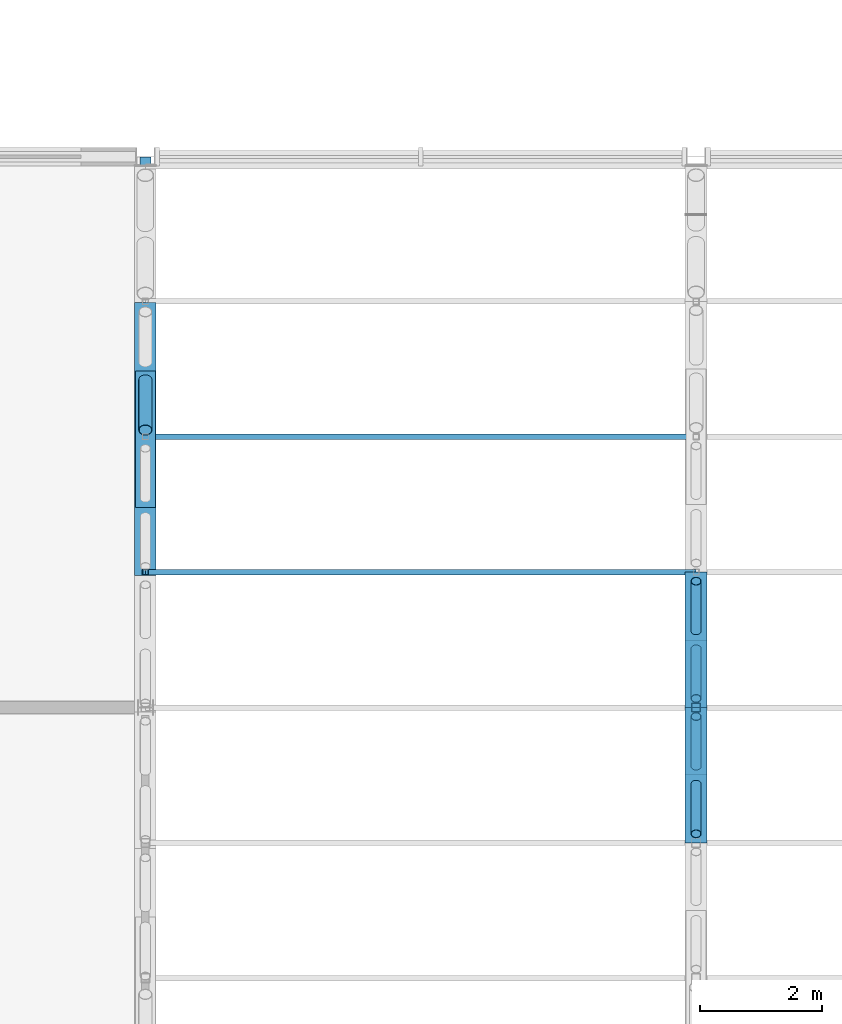
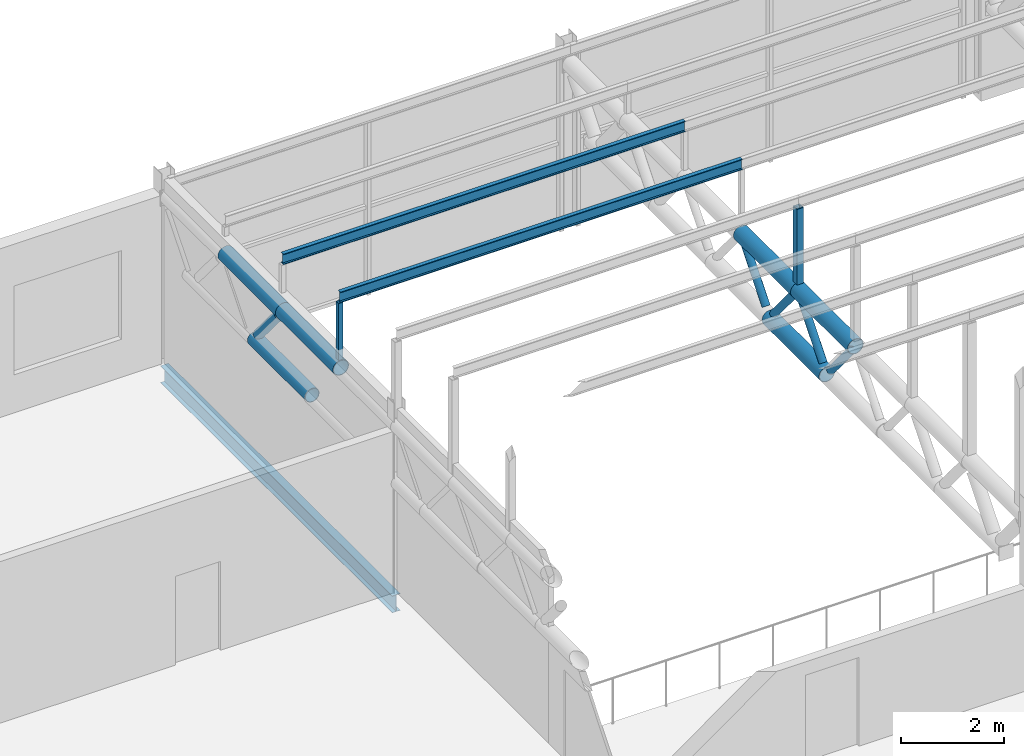
# One storey, part 30 of 138: 15 members, 1 beam.
"""IFC4 building model written with IfcOpenShell, lengths in metres."""

from ifc_helpers import new_model, si_unit, direction, frame, origin, origin_2d, place, context, subcontext, project, spatial, hollow_rectangle, hollow_circle, i_section, extrude, material, material_profile, profile_set, type_object, element, save


model = new_model("IFC4")

# Units and contexts
model_context = context("Model", 3, precision=1e-05, world=origin(), true_north=direction((0.0, 1.0)))
body_context = subcontext(model_context, "Body", "Model", "MODEL_VIEW")
ifc_project = project(units=[si_unit("LENGTHUNIT", "METRE"), si_unit("AREAUNIT", "SQUARE_METRE"), si_unit("VOLUMEUNIT", "CUBIC_METRE"), si_unit("PLANEANGLEUNIT", "RADIAN"), si_unit("MASSUNIT", "GRAM", prefix="KILO")], contexts=[model_context])

# Site, building, storey
site_placement = place(None, origin())
site = spatial("IfcSite", under=ifc_project, at=site_placement, CompositionType="ELEMENT")
building_placement = place(site_placement, origin())
building = spatial("IfcBuilding", under=site, at=building_placement, Name="Corbel Yard City Hall", CompositionType="ELEMENT")
storey_placement = place(building_placement, frame((0.0, 0.0, 10.5)))
storey = spatial("IfcBuildingStorey", under=building, at=storey_placement, Name="L02", CompositionType="ELEMENT", Elevation=10.5)

# Beam
ifc_material_1 = material(Name="Steel Grade 300 (300 MPa yield)", Category="steel")
ifc_material_profile_1 = material_profile(ifc_material_1, i_section(OverallWidth=0.177978515625, OverallDepth=0.403076171875, WebThickness=0.007568359375, FlangeThickness=0.010986328125, at=origin_2d()), Name="410UB53.7")
ifc_profile_set_1 = profile_set([ifc_material_profile_1], Name="Steel Grade 300 (300 MPa yield)")
beam_type = type_object("IfcBeamType", Name="Edge beam 410UB53.7", PredefinedType="BEAM", material=ifc_profile_set_1)
beam_placement = place(storey_placement, frame((18.0, 18.005859375, -0.3515625), z_axis=(0.0, 1.0, 0.0), x_axis=(-1.0, 0.0, 0.0)))
element("IfcBeam", 1, at=beam_placement, inside=storey, type_object=beam_type, Name="Edge beam 410UB53.7 EB6 L02floor", PredefinedType="BEAM", context=body_context, shape_type="SweptSolid", body=[
    extrude(i_section(OverallWidth=0.177978515625, OverallDepth=0.403076171875, WebThickness=0.007568359375, FlangeThickness=0.010986328125, at=origin_2d()), origin(), (0.0, 0.0, 1.0), 8.98828125),
])

# Members
ifc_material_2 = material(Name="Steel Grade C350L0", Category="steel")
ifc_material_profile_2 = material_profile(ifc_material_2, hollow_circle(Radius=0.161865234375, WallThickness=0.0126953125, at=origin_2d()), Name="323.9x12.7CHS")
ifc_profile_set_2 = profile_set([ifc_material_profile_2], Name="Steel Grade C350L0")
member_type_1 = type_object("IfcMemberType", Name="Hall roof truss bottom chord 323.9x12.7CHS", PredefinedType="CHORD", material=ifc_profile_set_2)
member_1_placement = place(storey_placement, frame((18.0, 21.270263671875, 2.59228515625), z_axis=(0.0, 1.0, 0.0), x_axis=(-1.0, 0.0, 0.0)))
element("IfcMember", 2, at=member_1_placement, inside=storey, type_object=member_type_1, Name="Hall roof truss bottom chord 323.9x12.7CHS TC2", PredefinedType="CHORD", context=body_context, shape_type="SweptSolid", body=[
    extrude(hollow_circle(Radius=0.161865234375, WallThickness=0.0126953125, at=origin_2d()), origin(), (0.0, 0.0, 1.0), 2.230712890625),
])
ifc_material_profile_3 = material_profile(ifc_material_2, hollow_circle(Radius=0.177734375, WallThickness=0.0126953125, at=origin_2d()), Name="355.6x12.7CHS")
ifc_profile_set_3 = profile_set([ifc_material_profile_3], Name="Steel Grade C350L0")
member_type_2 = type_object("IfcMemberType", Name="Hall roof truss bottom chord 355.6x12.7CHS", PredefinedType="CHORD", material=ifc_profile_set_3)
member_2_placement = place(storey_placement, frame((27.0, 16.89404296875, 2.59228515625), z_axis=(0.0, 1.0, 0.0), x_axis=(-1.0, 0.0, 0.0)))
element("IfcMember", 3, at=member_2_placement, inside=storey, type_object=member_type_2, Name="Hall roof truss bottom chord 355.6x12.7CHS TC3", PredefinedType="CHORD", context=body_context, shape_type="SweptSolid", body=[
    extrude(hollow_circle(Radius=0.177734375, WallThickness=0.0126953125, at=origin_2d()), origin(), (0.0, 0.0, 1.0), 2.2119140625),
])
ifc_material_profile_4 = material_profile(ifc_material_2, hollow_circle(Radius=0.084228515625, WallThickness=0.007080078125, at=origin_2d()), Name="168.3x7.1CHS")
ifc_profile_set_4 = profile_set([ifc_material_profile_4], Name="Steel Grade C350L0")
member_type_3 = type_object("IfcMemberType", Name="Hall roof truss diagonal 168.3x7.1CHS", PredefinedType="STRUT", material=ifc_profile_set_4)
member_3_placement = place(storey_placement, frame((27.0, 15.93603515625, 3.744384765625), z_axis=(0.0, 0.639407153698, -0.768868318894), x_axis=(-1.0, 0.0, 0.0)))
element("IfcMember", 4, at=member_3_placement, inside=storey, type_object=member_type_3, Name="Hall roof truss diagonal 168.3x7.1CHS TD3", PredefinedType="STRUT", context=body_context, shape_type="SweptSolid", body=[
    extrude(hollow_circle(Radius=0.084228515625, WallThickness=0.007080078125, at=origin_2d()), origin(), (0.0, 0.0, 1.0), 1.267333984375),
])
for number, where, z_axis, x_axis, name in (
    (5, (27.0, 17.0419921875, 2.77001953125), (0.0, 0.639293245648, 0.768963032966), (-1.0, 0.0, 0.0), "Hall roof truss diagonal 168.3x7.1CHS TD3"),
    (6, (27.0, 18.14794921875, 3.744384765625), (0.0, 0.639293245648, -0.768963032966), (-1.0, 0.0, 0.0), "Hall roof truss diagonal 168.3x7.1CHS TD3"),
):
    element("IfcMember", number, at=place(storey_placement, frame(where, z_axis=z_axis, x_axis=x_axis)), inside=storey, type_object=member_type_3, Name=name, PredefinedType="STRUT", context=body_context, shape_type="SweptSolid", body=[
        extrude(hollow_circle(Radius=0.084228515625, WallThickness=0.007080078125, at=origin_2d()), origin(), (0.0, 0.0, 1.0), 1.26708984375),
    ])
member_4_placement = place(storey_placement, frame((27.0, 19.253662109375, 2.77001953125), z_axis=(0.0, 0.639407153698, 0.768868318894), x_axis=(-1.0, 0.0, 0.0)))
element("IfcMember", 7, at=member_4_placement, inside=storey, type_object=member_type_3, Name="Hall roof truss diagonal 168.3x7.1CHS TD3", PredefinedType="STRUT", context=body_context, shape_type="SweptSolid", body=[
    extrude(hollow_circle(Radius=0.084228515625, WallThickness=0.007080078125, at=origin_2d()), origin(), (0.0, 0.0, 1.0), 1.267333984375),
])
ifc_material_profile_5 = material_profile(ifc_material_2, hollow_circle(Radius=0.109619140625, WallThickness=0.00830078125, at=origin_2d()), Name="219.1x8.2CHS")
ifc_profile_set_5 = profile_set([ifc_material_profile_5], Name="Steel Grade C350L0")
member_type_4 = type_object("IfcMemberType", Name="Hall roof truss diagonal 219.1x8.2CHS", PredefinedType="STRUT", material=ifc_profile_set_5)
member_5_placement = place(storey_placement, frame((18.0, 22.53466796875, 3.744384765625), z_axis=(0.0, 0.642692233301, -0.766124463292), x_axis=(-1.0, 0.0, 0.0)))
element("IfcMember", 8, at=member_5_placement, inside=storey, type_object=member_type_4, Name="Hall roof truss diagonal 219.1x8.2CHS TD2", PredefinedType="STRUT", context=body_context, shape_type="SweptSolid", body=[
    extrude(hollow_circle(Radius=0.109619140625, WallThickness=0.00830078125, at=origin_2d()), origin(), (0.0, 0.0, 1.0), 1.271728515625),
])
ifc_material_profile_6 = material_profile(ifc_material_2, hollow_circle(Radius=0.177734375, WallThickness=0.0126953125, at=origin_2d()), Name="355.6x12.7CHS")
ifc_profile_set_6 = profile_set([ifc_material_profile_6], Name="Steel Grade C350L0")
member_type_5 = type_object("IfcMemberType", Name="Hall roof truss top chord 355.6x12.7CHS", PredefinedType="CHORD", material=ifc_profile_set_6)
member_6_placement = place(storey_placement, frame((18.0, 20.15478515625, 3.922119140625), z_axis=(0.0, 1.0, 0.0), x_axis=(-1.0, 0.0, 0.0)))
element("IfcMember", 9, at=member_6_placement, inside=storey, type_object=member_type_5, Name="Hall roof truss top chord 355.6x12.7CHS TC1", PredefinedType="CHORD", context=body_context, shape_type="SweptSolid", body=[
    extrude(hollow_circle(Radius=0.177734375, WallThickness=0.0126953125, at=origin_2d()), origin(), (0.0, 0.0, 1.0), 2.23095703125),
])
member_7_placement = place(storey_placement, frame((18.0, 22.3857421875, 3.922119140625), z_axis=(0.0, 1.0, 0.0), x_axis=(-1.0, 0.0, 0.0)))
element("IfcMember", 10, at=member_7_placement, inside=storey, type_object=member_type_5, Name="Hall roof truss top chord 355.6x12.7CHS TC1", PredefinedType="CHORD", context=body_context, shape_type="SweptSolid", body=[
    extrude(hollow_circle(Radius=0.177734375, WallThickness=0.0126953125, at=origin_2d()), origin(), (0.0, 0.0, 1.0), 2.230712890625),
])
for number, where, z_axis, x_axis, name in (
    (11, (27.0, 15.7880859375, 3.922119140625), (0.0, 1.0, 0.0), (-1.0, 0.0, 0.0), "Hall roof truss top chord 355.6x12.7CHS TC1"),
    (12, (27.0, 18.0, 3.922119140625), (0.0, 1.0, 0.0), (-1.0, 0.0, 0.0), "Hall roof truss top chord 355.6x12.7CHS TC1"),
):
    element("IfcMember", number, at=place(storey_placement, frame(where, z_axis=z_axis, x_axis=x_axis)), inside=storey, type_object=member_type_5, Name=name, PredefinedType="CHORD", context=body_context, shape_type="SweptSolid", body=[
        extrude(hollow_circle(Radius=0.177734375, WallThickness=0.0126953125, at=origin_2d()), origin(), (0.0, 0.0, 1.0), 2.2119140625),
    ])
ifc_material_profile_7 = material_profile(ifc_material_1, i_section(OverallWidth=0.090087890625, OverallDepth=0.25, WebThickness=0.008056640625, FlangeThickness=0.014892578125, at=origin_2d()), Name="250PFC")
ifc_profile_set_7 = profile_set([ifc_material_profile_7], Name="Steel Grade 300 (300 MPa yield)")
member_type_6 = type_object("IfcMemberType", Name="Purlin 250PFC", PredefinedType="PURLIN", material=ifc_profile_set_7)
for number, where, z_axis, x_axis, name in (
    (13, (18.0, 20.2119140625, 5.57373046875), (1.0, 0.0, 0.0), (0.0, 1.0, 0.0), "Purlin 250PFC PU1"),
    (14, (18.0, 22.423828125, 5.13134765625), (1.0, 0.0, 0.0), (0.0, 1.0, 0.0), "Purlin 250PFC PU1"),
):
    element("IfcMember", number, at=place(storey_placement, frame(where, z_axis=z_axis, x_axis=x_axis)), inside=storey, type_object=member_type_6, Name=name, PredefinedType="PURLIN", context=body_context, shape_type="SweptSolid", body=[
        extrude(i_section(OverallWidth=0.090087890625, OverallDepth=0.25, WebThickness=0.008056640625, FlangeThickness=0.014892578125, at=origin_2d()), origin(), (0.0, 0.0, 1.0), 9.0),
    ])
ifc_material_3 = material(Name="Steel Grade C450L0", Category="steel")
ifc_material_profile_8 = material_profile(ifc_material_3, hollow_rectangle(XDim=0.10009765625, YDim=0.10009765625, WallThickness=0.006103515625, at=origin_2d()), Name="100x100x6.0SHS")
ifc_profile_set_8 = profile_set([ifc_material_profile_8], Name="Steel Grade C450L0")
member_type_7 = type_object("IfcMemberType", Name="Roof post 100x100x6.0SHS", PredefinedType="POST", material=ifc_profile_set_8)
member_8_placement = place(storey_placement, frame((18.0, 20.2119140625, 4.10009765625), z_axis=(0.0, 0.0, 1.0), x_axis=(1.0, 0.0, 0.0)))
element("IfcMember", 15, at=member_8_placement, inside=storey, type_object=member_type_7, Name="Roof post 100x100x6.0SHS RP3", PredefinedType="POST", context=body_context, shape_type="SweptSolid", body=[
    extrude(hollow_rectangle(XDim=0.10009765625, YDim=0.10009765625, WallThickness=0.006103515625, at=origin_2d()), origin(), (0.0, 0.0, 1.0), 1.3486328125),
])
ifc_material_profile_9 = material_profile(ifc_material_3, hollow_rectangle(XDim=0.14990234375, YDim=0.14990234375, WallThickness=0.009033203125, at=origin_2d()), Name="150x150x9.0SHS")
ifc_profile_set_9 = profile_set([ifc_material_profile_9], Name="Steel Grade C450L0")
member_type_8 = type_object("IfcMemberType", Name="Roof post 150x150x9.0SHS", PredefinedType="POST", material=ifc_profile_set_9)
member_9_placement = place(storey_placement, frame((27.0, 18.0, 4.10009765625), z_axis=(0.0, 0.0, 1.0), x_axis=(1.0, 0.0, 0.0)))
element("IfcMember", 16, at=member_9_placement, inside=storey, type_object=member_type_8, Name="Roof post 150x150x9.0SHS RP2", PredefinedType="POST", context=body_context, shape_type="SweptSolid", body=[
    extrude(hollow_rectangle(XDim=0.14990234375, YDim=0.14990234375, WallThickness=0.009033203125, at=origin_2d()), origin(), (0.0, 0.0, 1.0), 1.791015625),
])

save(model, "model.ifc")
